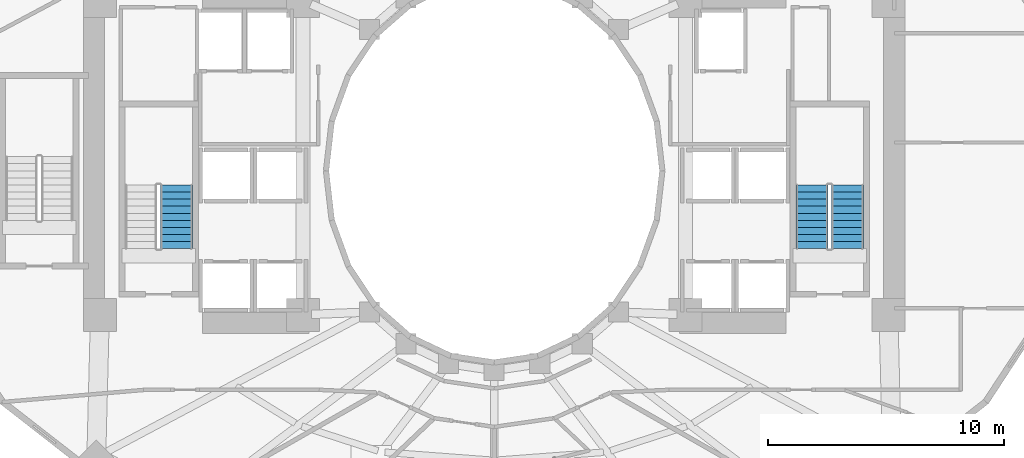
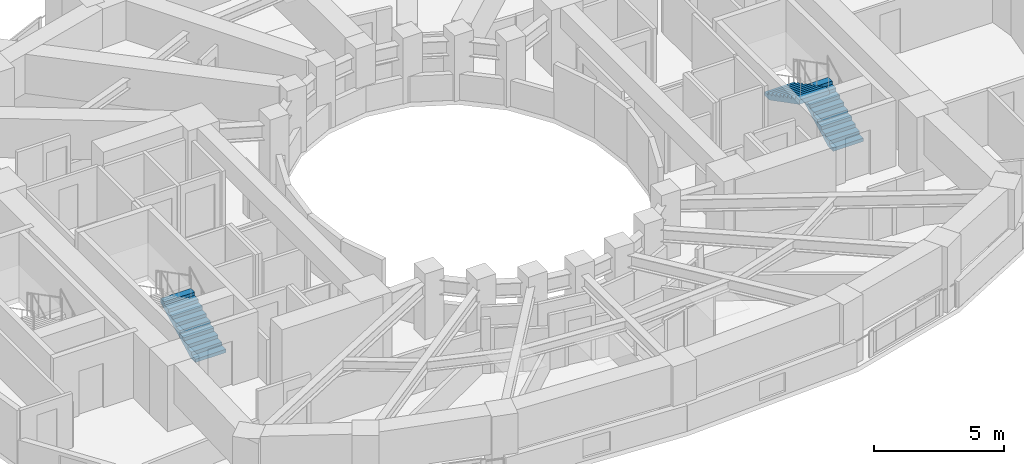
# One storey, part 13 of 16: 3 stair flights, 2 elements without a shape of their own.
"""IFC4 building model written with IfcOpenShell, lengths in metres."""

from ifc_helpers import new_model, si_unit, direction, frame, origin, place, context, subcontext, project, spatial, polyline, outline, extrude, material, type_object, element, aggregate, save


model = new_model("IFC4")

# Units and contexts
model_context = context("Model", 3, precision=1e-05, world=origin(), true_north=direction((0.0, 1.0)))
body_context = subcontext(model_context, "Body", "Model", "MODEL_VIEW")
ifc_project = project(units=[si_unit("LENGTHUNIT", "METRE"), si_unit("AREAUNIT", "SQUARE_METRE"), si_unit("VOLUMEUNIT", "CUBIC_METRE"), si_unit("PLANEANGLEUNIT", "RADIAN"), si_unit("MASSUNIT", "GRAM", prefix="KILO")], contexts=[model_context])

# Site, building, storey
site_placement = place(None, origin())
site = spatial("IfcSite", under=ifc_project, at=site_placement, CompositionType="ELEMENT")
building_placement = place(site_placement, origin())
building = spatial("IfcBuilding", under=site, at=building_placement, Name="Solvane Sanctuary Tower", CompositionType="ELEMENT")
storey_placement = place(building_placement, frame((0.0, 0.0, 82.5)))
storey = spatial("IfcBuildingStorey", under=building, at=storey_placement, Name="L24", CompositionType="ELEMENT", Elevation=82.5)

# Stair, stair flight
ifc_material = material(Name="Concrete C45/55", Category="concrete")
stair_type = type_object("IfcStairType", Name="Stair ST-TOW", PredefinedType="HALF_TURN_STAIR", material=ifc_material)
stair_1_placement = place(storey_placement, origin())
stair_1 = element("IfcStair", 1, at=stair_1_placement, inside=storey, type_object=stair_type, Name="L24 Exit Stair ST-1 West Core", PredefinedType="HALF_TURN_STAIR")
stair_flight_type = type_object("IfcStairFlightType", Name="StairFlight SF-TOW", PredefinedType="STRAIGHT", material=ifc_material)
stair_flight_1_placement = place(storey_placement, frame((18.544921875, 19.699951171875, 0.0), z_axis=(0.0, 0.0, 1.0), x_axis=(0.0, 1.0, 0.0)))
stair_flight_1 = element("IfcStairFlight", 2, at=stair_flight_1_placement, type_object=stair_flight_type, Name="ST-1 flight 1", NumberOfRisers=10, NumberOfTreads=9, PredefinedType="STRAIGHT", RiserHeight=0.155, TreadLength=0.3, context=body_context, shape_type="SweptSolid", body=[
    extrude(outline(polyline([(0.0, 0.0), (0.0, 0.155029296875), (0.300048828125, 0.155029296875), (0.300048828125, 0.31005859375), (0.60009765625, 0.31005859375), (0.60009765625, 0.465087890625), (0.89990234375, 0.465087890625), (0.89990234375, 0.6201171875), (1.199951171875, 0.6201171875), (1.199951171875, 0.77490234375), (1.5, 0.77490234375), (1.5, 0.929931640625), (1.800048828125, 0.929931640625), (1.800048828125, 1.0849609375), (2.10009765625, 1.0849609375), (2.10009765625, 1.239990234375), (2.39990234375, 1.239990234375), (2.39990234375, 1.39501953125), (2.699951171875, 1.39501953125), (2.699951171875, 1.550048828125), (2.699951171875, 1.1923828125), (0.39208984375, 0.0), (0.0, 0.0)])), frame((0.0, 0.675048828125, 0.0), z_axis=(0.0, -1.0, 0.0), x_axis=(1.0, 0.0, 0.0)), (0.0, 0.0, 1.0), 1.35009765625),
])
aggregate(stair_1, [stair_flight_1])

# Stair, stair flights
stair_2_placement = place(storey_placement, origin())
stair_2 = element("IfcStair", 3, at=stair_2_placement, inside=storey, type_object=stair_type, Name="L24 Exit Stair ST-2 East Core", PredefinedType="HALF_TURN_STAIR")
stair_flight_2_placement = place(storey_placement, frame((46.965087890625, 19.699951171875, 0.0), z_axis=(0.0, 0.0, 1.0), x_axis=(0.0, 1.0, 0.0)))
stair_flight_2 = element("IfcStairFlight", 4, at=stair_flight_2_placement, type_object=stair_flight_type, Name="ST-2 flight 1", NumberOfRisers=10, NumberOfTreads=9, PredefinedType="STRAIGHT", RiserHeight=0.155, TreadLength=0.3, context=body_context, shape_type="SweptSolid", body=[
    extrude(outline(polyline([(0.0, 0.0), (0.0, 0.155029296875), (0.300048828125, 0.155029296875), (0.300048828125, 0.31005859375), (0.60009765625, 0.31005859375), (0.60009765625, 0.465087890625), (0.89990234375, 0.465087890625), (0.89990234375, 0.6201171875), (1.199951171875, 0.6201171875), (1.199951171875, 0.77490234375), (1.5, 0.77490234375), (1.5, 0.929931640625), (1.800048828125, 0.929931640625), (1.800048828125, 1.0849609375), (2.10009765625, 1.0849609375), (2.10009765625, 1.239990234375), (2.39990234375, 1.239990234375), (2.39990234375, 1.39501953125), (2.699951171875, 1.39501953125), (2.699951171875, 1.550048828125), (2.699951171875, 1.1923828125), (0.39208984375, 0.0), (0.0, 0.0)])), frame((0.0, 0.675048828125, 0.0), z_axis=(0.0, -1.0, 0.0), x_axis=(1.0, 0.0, 0.0)), (0.0, 0.0, 1.0), 1.35009765625),
])
stair_flight_3_placement = place(storey_placement, frame((45.455078125, 22.39990234375, 1.550048828125), z_axis=(0.0, 0.0, 1.0), x_axis=(0.0, -1.0, 0.0)))
stair_flight_3 = element("IfcStairFlight", 5, at=stair_flight_3_placement, type_object=stair_flight_type, Name="ST-2 flight 2", NumberOfRisers=10, NumberOfTreads=9, PredefinedType="STRAIGHT", RiserHeight=0.155, TreadLength=0.3, context=body_context, shape_type="SweptSolid", body=[
    extrude(outline(polyline([(0.0, 0.0), (0.0, 0.155029296875), (0.300048828125, 0.155029296875), (0.300048828125, 0.31005859375), (0.60009765625, 0.31005859375), (0.60009765625, 0.465087890625), (0.89990234375, 0.465087890625), (0.89990234375, 0.6201171875), (1.199951171875, 0.6201171875), (1.199951171875, 0.77490234375), (1.5, 0.77490234375), (1.5, 0.929931640625), (1.800048828125, 0.929931640625), (1.800048828125, 1.0849609375), (2.10009765625, 1.0849609375), (2.10009765625, 1.239990234375), (2.39990234375, 1.239990234375), (2.39990234375, 1.39501953125), (2.699951171875, 1.39501953125), (2.699951171875, 1.550048828125), (2.699951171875, 1.1923828125), (0.39208984375, 0.0), (0.0, 0.0)])), frame((0.0, 0.675048828125, 0.0), z_axis=(0.0, -1.0, 0.0), x_axis=(1.0, 0.0, 0.0)), (0.0, 0.0, 1.0), 1.35009765625),
])
aggregate(stair_2, [stair_flight_2, stair_flight_3])

save(model, "model.ifc")
